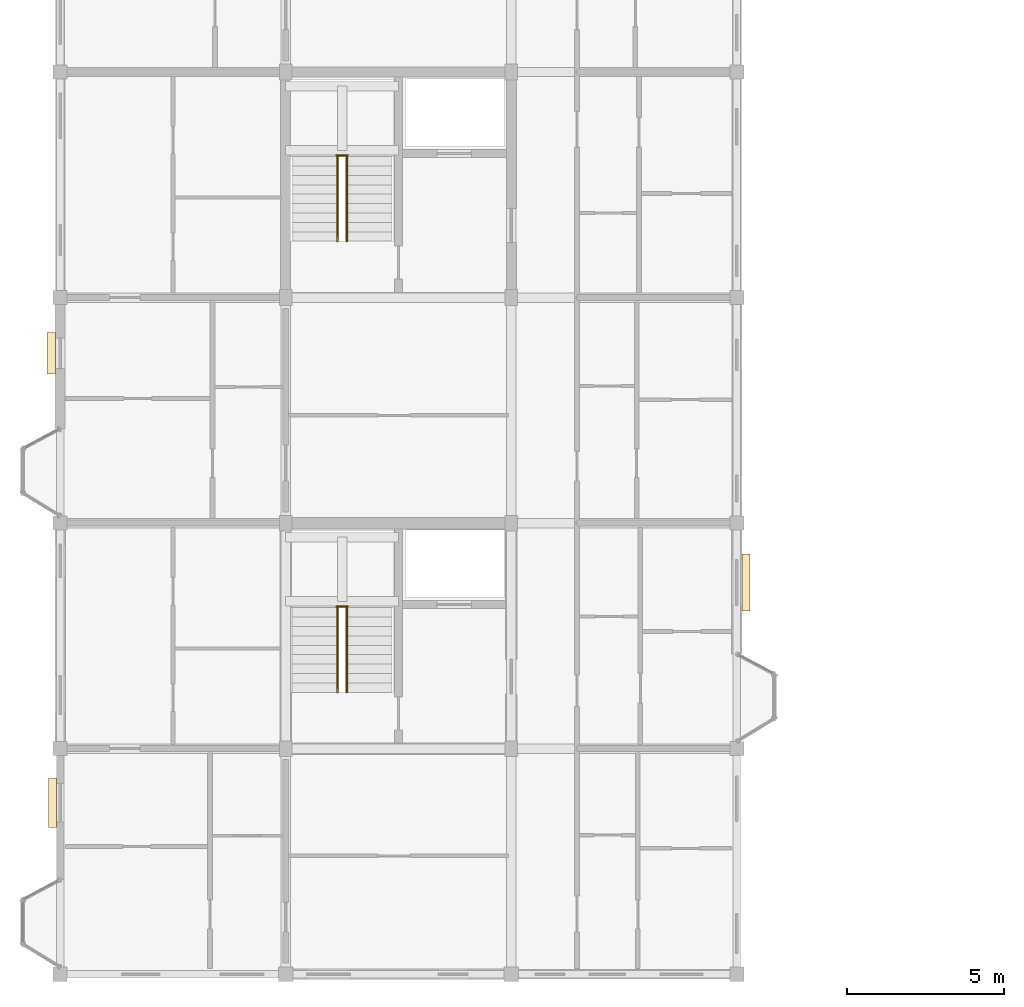
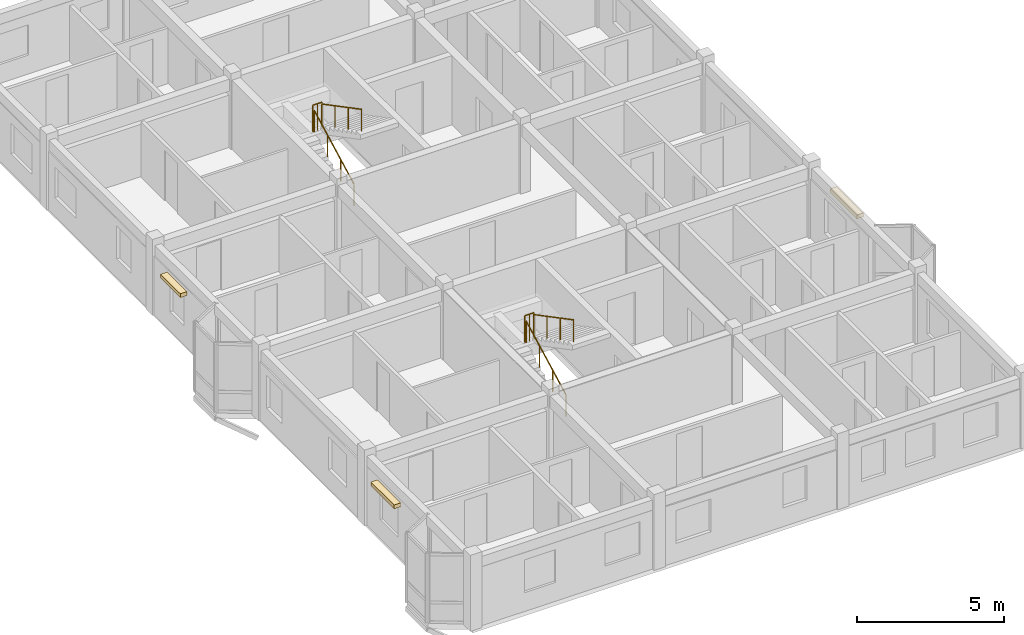
# One storey, part 22 of 23: 6 railings, 3 coverings.
"""IFC4 building model written with IfcOpenShell, lengths in metres."""

from ifc_helpers import new_model, si_unit, direction, frame, origin, origin_2d, place, context, subcontext, project, spatial, rectangle, circle, extrude, material, layer, layer_set, type_object, element, save


model = new_model("IFC4")

# Units and contexts
model_context = context("Model", 3, precision=1e-05, world=origin(), true_north=direction((0.0, 1.0)))
body_context = subcontext(model_context, "Body", "Model", "MODEL_VIEW")
ifc_project = project(units=[si_unit("LENGTHUNIT", "METRE"), si_unit("AREAUNIT", "SQUARE_METRE"), si_unit("VOLUMEUNIT", "CUBIC_METRE"), si_unit("PLANEANGLEUNIT", "RADIAN"), si_unit("MASSUNIT", "GRAM", prefix="KILO"), si_unit("THERMODYNAMICTEMPERATUREUNIT", "KELVIN"), si_unit("POWERUNIT", "WATT")], contexts=[model_context])

# Site, building, storey
site_placement = place(None, origin())
site = spatial("IfcSite", under=ifc_project, at=site_placement, CompositionType="ELEMENT")
building_placement = place(site_placement, origin())
building = spatial("IfcBuilding", under=site, at=building_placement, Name="Tavuni Mirador Residences", CompositionType="ELEMENT")
storey_placement = place(building_placement, frame((0.0, 0.0, 42.300048828125)))
storey = spatial("IfcBuildingStorey", under=building, at=storey_placement, Name="L13", CompositionType="ELEMENT", Elevation=42.300048828125)

# Coverings
ifc_material_1 = material(Name="Natural coral limestone", Category="masonry")
ifc_layer = layer(ifc_material_1, 0.054931640625, Name="Natural coral limestone", Category="masonry")
ifc_layer_set = layer_set([ifc_layer], Name="Natural coral limestone")
covering_type = type_object("IfcCoveringType", Name="CVT-CLAD-CORAL", PredefinedType="CLADDING", material=ifc_layer_set)
covering_1_placement = place(storey_placement, frame((25.491943359375, 19.702392578125, 2.240234375), z_axis=(0.0, 0.0, 1.0), x_axis=(0.0, 1.0, 0.0)))
element("IfcCovering", 1, at=covering_1_placement, inside=storey, type_object=covering_type, Name="HOOD-0276", PredefinedType="CLADDING", context=body_context, shape_type="SweptSolid", body=[
    extrude(rectangle(XDim=1.81005859375, YDim=0.260009765625, at=origin_2d()), origin(), (0.0, 0.0, 1.0), 0.159912109375),
])
covering_2_placement = place(storey_placement, frame((3.3154296875, 27.0224609375, 2.16015625), z_axis=(0.0, 0.0, 1.0), x_axis=(0.0, -1.0, 0.0)))
element("IfcCovering", 2, at=covering_2_placement, inside=storey, type_object=covering_type, Name="HOOD-0277", PredefinedType="CLADDING", context=body_context, shape_type="SweptSolid", body=[
    extrude(rectangle(XDim=1.340087890625, YDim=0.260009765625, at=origin_2d()), origin(), (0.0, 0.0, 1.0), 0.159912109375),
])
covering_3_placement = place(storey_placement, frame((3.3505859375, 12.672607421875, 2.16015625), z_axis=(0.0, 0.0, 1.0), x_axis=(0.0, -1.0, 0.0)))
element("IfcCovering", 3, at=covering_3_placement, inside=storey, type_object=covering_type, Name="HOOD-0278", PredefinedType="CLADDING", context=body_context, shape_type="SweptSolid", body=[
    extrude(rectangle(XDim=1.580078125, YDim=0.260009765625, at=origin_2d()), origin(), (0.0, 0.0, 1.0), 0.159912109375),
])

# Railings
ifc_material_2 = material(Name="Structural steel S355", Category="steel")
railing_type_1 = type_object("IfcRailingType", Name="RT-GR1120", PredefinedType="GUARDRAIL", material=ifc_material_2)
for number, where, name in (
    (4, (12.419921875, 18.93994140625, 1.574951171875), "GRD-HL-ST1-L13"),
    (5, (12.419921875, 33.340087890625, 1.574951171875), "GRD-HL-ST2-L13"),
):
    element("IfcRailing", number, at=place(storey_placement, frame(where)), inside=storey, type_object=railing_type_1, Name=name, PredefinedType="GUARDRAIL", context=body_context, shape_type="SweptSolid", body=[
        extrude(circle(Radius=0.02392578125, at=origin_2d()), frame((0.0, 0.0, 1.09619140625), z_axis=(1.0, 0.0, 0.0), x_axis=(0.0, 1.0, 0.0)), (0.0, 0.0, 1.0), 0.360107421875),
        extrude(circle(Radius=0.02099609375, at=origin_2d()), origin(), (0.0, 0.0, 1.0), 1.072021484375),
        extrude(circle(Radius=0.02099609375, at=origin_2d()), frame((0.18017578125, 0.0, 0.0)), (0.0, 0.0, 1.0), 1.072021484375),
        extrude(circle(Radius=0.02099609375, at=origin_2d()), frame((0.360107421875, 0.0, 0.0)), (0.0, 0.0, 1.0), 1.072021484375),
    ])
railing_type_2 = type_object("IfcRailingType", Name="RT-HR920", PredefinedType="HANDRAIL", material=ifc_material_2)
railing_1_placement = place(storey_placement, frame((12.449951171875, 16.199951171875, 0.157470703125)))
element("IfcRailing", 6, at=railing_1_placement, inside=storey, type_object=railing_type_2, Name="HR-ST1-L13-F1", PredefinedType="HANDRAIL", context=body_context, shape_type="SweptSolid", body=[
    extrude(circle(Radius=0.02392578125, at=origin_2d()), frame((0.0, 0.0, 0.89599609375), z_axis=(0.0, 0.885397079081, 0.464835468048), x_axis=(-1.0, 0.0, 0.0)), (0.0, 0.0, 1.0), 3.04931640625),
    extrude(circle(Radius=0.02099609375, at=origin_2d()), origin(), (0.0, 0.0, 1.0), 0.871826171875),
    extrude(circle(Radius=0.02099609375, at=origin_2d()), frame((0.0, 0.89990234375, 0.472412109375)), (0.0, 0.0, 1.0), 0.871826171875),
    extrude(circle(Radius=0.02099609375, at=origin_2d()), frame((0.0, 1.800048828125, 0.945068359375)), (0.0, 0.0, 1.0), 0.871826171875),
    extrude(circle(Radius=0.02099609375, at=origin_2d()), frame((0.0, 2.699951171875, 1.41748046875)), (0.0, 0.0, 1.0), 0.871826171875),
])
railing_2_placement = place(storey_placement, frame((12.75, 18.89990234375, 1.732421875)))
element("IfcRailing", 7, at=railing_2_placement, inside=storey, type_object=railing_type_2, Name="HR-ST1-L13-F2", PredefinedType="HANDRAIL", context=body_context, shape_type="SweptSolid", body=[
    extrude(circle(Radius=0.02392578125, at=origin_2d()), frame((0.0, 0.0, 0.89599609375), z_axis=(0.0, -0.885397079081, 0.464835468048), x_axis=(1.0, 0.0, 0.0)), (0.0, 0.0, 1.0), 3.04931640625),
    extrude(circle(Radius=0.02099609375, at=origin_2d()), origin(), (0.0, 0.0, 1.0), 0.871826171875),
    extrude(circle(Radius=0.02099609375, at=origin_2d()), frame((0.0, -0.89990234375, 0.472412109375)), (0.0, 0.0, 1.0), 0.871826171875),
    extrude(circle(Radius=0.02099609375, at=origin_2d()), frame((0.0, -1.800048828125, 0.945068359375)), (0.0, 0.0, 1.0), 0.871826171875),
    extrude(circle(Radius=0.02099609375, at=origin_2d()), frame((0.0, -2.699951171875, 1.41748046875)), (0.0, 0.0, 1.0), 0.871826171875),
])
railing_3_placement = place(storey_placement, frame((12.449951171875, 30.60009765625, 0.157470703125)))
element("IfcRailing", 8, at=railing_3_placement, inside=storey, type_object=railing_type_2, Name="HR-ST2-L13-F1", PredefinedType="HANDRAIL", context=body_context, shape_type="SweptSolid", body=[
    extrude(circle(Radius=0.02392578125, at=origin_2d()), frame((0.0, 0.0, 0.89599609375), z_axis=(0.0, 0.885397079081, 0.464835468048), x_axis=(-1.0, 0.0, 0.0)), (0.0, 0.0, 1.0), 3.04931640625),
    extrude(circle(Radius=0.02099609375, at=origin_2d()), origin(), (0.0, 0.0, 1.0), 0.871826171875),
    extrude(circle(Radius=0.02099609375, at=origin_2d()), frame((0.0, 0.89990234375, 0.472412109375)), (0.0, 0.0, 1.0), 0.871826171875),
    extrude(circle(Radius=0.02099609375, at=origin_2d()), frame((0.0, 1.800048828125, 0.945068359375)), (0.0, 0.0, 1.0), 0.871826171875),
    extrude(circle(Radius=0.02099609375, at=origin_2d()), frame((0.0, 2.699951171875, 1.41748046875)), (0.0, 0.0, 1.0), 0.871826171875),
])
railing_4_placement = place(storey_placement, frame((12.75, 33.300048828125, 1.732421875)))
element("IfcRailing", 9, at=railing_4_placement, inside=storey, type_object=railing_type_2, Name="HR-ST2-L13-F2", PredefinedType="HANDRAIL", context=body_context, shape_type="SweptSolid", body=[
    extrude(circle(Radius=0.02392578125, at=origin_2d()), frame((0.0, 0.0, 0.89599609375), z_axis=(0.0, -0.885397079081, 0.464835468048), x_axis=(1.0, 0.0, 0.0)), (0.0, 0.0, 1.0), 3.04931640625),
    extrude(circle(Radius=0.02099609375, at=origin_2d()), origin(), (0.0, 0.0, 1.0), 0.871826171875),
    extrude(circle(Radius=0.02099609375, at=origin_2d()), frame((0.0, -0.89990234375, 0.472412109375)), (0.0, 0.0, 1.0), 0.871826171875),
    extrude(circle(Radius=0.02099609375, at=origin_2d()), frame((0.0, -1.800048828125, 0.945068359375)), (0.0, 0.0, 1.0), 0.871826171875),
    extrude(circle(Radius=0.02099609375, at=origin_2d()), frame((0.0, -2.699951171875, 1.41748046875)), (0.0, 0.0, 1.0), 0.871826171875),
])

save(model, "model.ifc")
